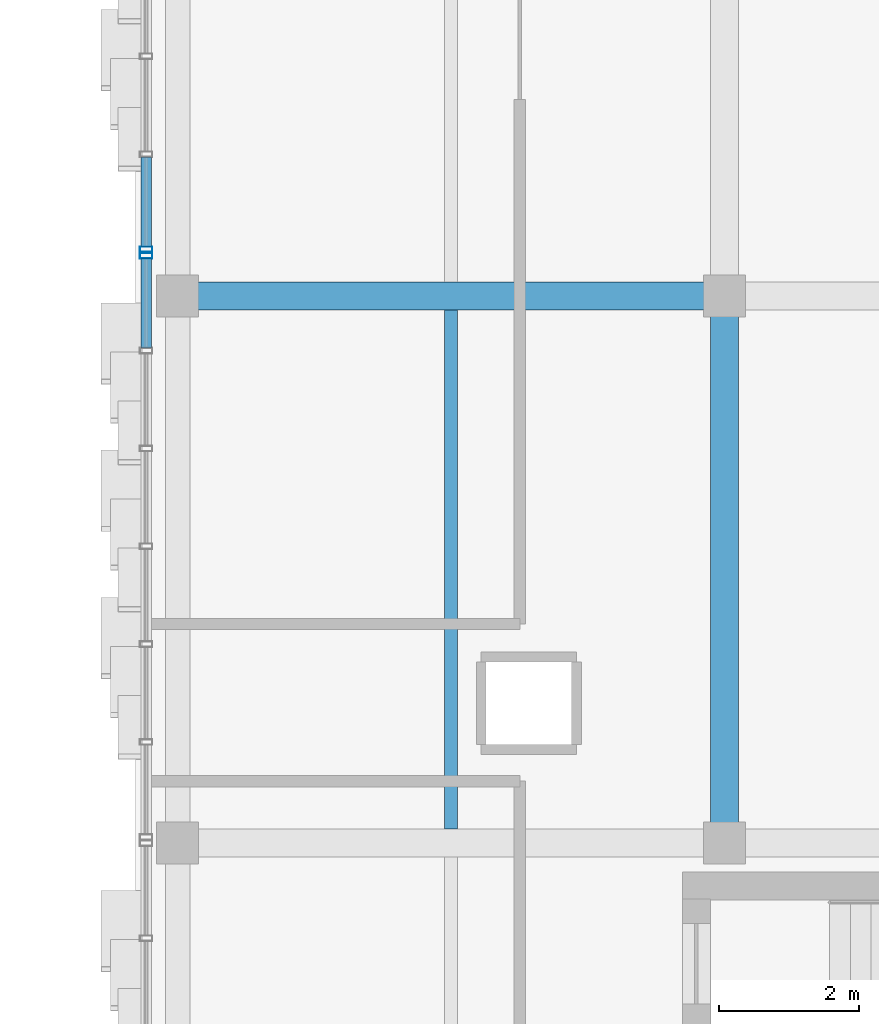
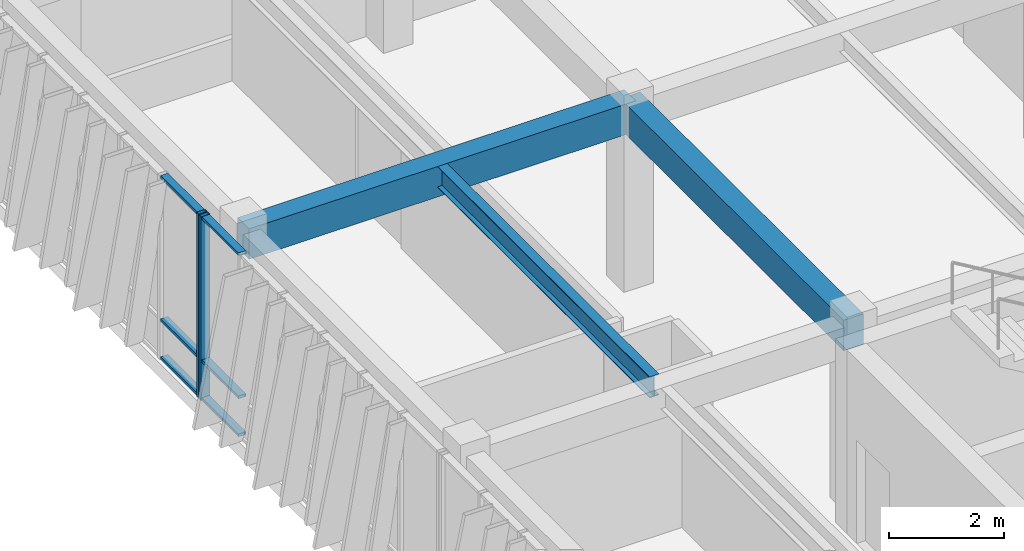
# One storey, part 66 of 127: 8 members, 3 beams, 2 elements without a shape of their own.
"""IFC4 building model written with IfcOpenShell, lengths in metres."""

from ifc_helpers import new_model, si_unit, direction, frame, origin, origin_2d, place, context, subcontext, project, spatial, rectangle, hollow_rectangle, i_section, extrude, material, layer, layer_set, material_profile, profile_set, type_object, element, aggregate, save


model = new_model("IFC4")

# Units and contexts
model_context = context("Model", 3, precision=1e-05, world=origin(), true_north=direction((0.0, 1.0)))
body_context = subcontext(model_context, "Body", "Model", "MODEL_VIEW")
ifc_project = project(units=[si_unit("LENGTHUNIT", "METRE"), si_unit("AREAUNIT", "SQUARE_METRE"), si_unit("VOLUMEUNIT", "CUBIC_METRE"), si_unit("PLANEANGLEUNIT", "RADIAN"), si_unit("MASSUNIT", "GRAM", prefix="KILO")], contexts=[model_context])

# Site, building, storey
site_placement = place(None, origin())
site = spatial("IfcSite", under=ifc_project, at=site_placement, CompositionType="ELEMENT")
building_placement = place(site_placement, origin())
building = spatial("IfcBuilding", under=site, at=building_placement, Name="Zayran Congress Hotel", CompositionType="ELEMENT")
storey_placement = place(building_placement, frame((0.0, 0.0, 10.800048828125)))
storey = spatial("IfcBuildingStorey", under=building, at=storey_placement, Name="L02", CompositionType="ELEMENT", Elevation=10.800048828125)

# Beams
ifc_material_1 = material(Name="Concrete C40/50", Category="concrete")
ifc_material_profile_1 = material_profile(ifc_material_1, rectangle(XDim=0.39990234375, YDim=0.64990234375, at=origin_2d()), Name="RC 400x650")
ifc_profile_set_1 = profile_set([ifc_material_profile_1], Name="Concrete C40/50")
beam_type_1 = type_object("IfcBeamType", Name="TP-BM-03", PredefinedType="BEAM", material=ifc_profile_set_1)
for number, where, z_axis, x_axis, name in (
    (1, (109.800048828125, 100.60009765625, 3.594970703125), (1.0, 0.0, 0.0), (0.0, 1.0, 0.0), "BM-V4-L02-1433"),
    (2, (117.60009765625, 92.800048828125, 3.594970703125), (0.0, 1.0, 0.0), (-1.0, 0.0, 0.0), "BM-V4-L02-1451"),
):
    element("IfcBeam", number, at=place(storey_placement, frame(where, z_axis=z_axis, x_axis=x_axis)), inside=storey, type_object=beam_type_1, Name=name, PredefinedType="BEAM", context=body_context, shape_type="SweptSolid", body=[
        extrude(rectangle(XDim=0.39990234375, YDim=0.64990234375, at=origin_2d()), origin(), (0.0, 0.0, 1.0), 7.800048828125),
    ])
ifc_material_2 = material(Name="Steel S355", Category="steel")
ifc_material_profile_2 = material_profile(ifc_material_2, i_section(OverallWidth=0.18994140625, OverallDepth=0.449951171875, WebThickness=0.009521484375, FlangeThickness=0.0146484375, at=origin_2d()), Name="IPE 450")
ifc_profile_set_2 = profile_set([ifc_material_profile_2], Name="Steel S355")
beam_type_2 = type_object("IfcBeamType", Name="TP-JS-02", PredefinedType="JOIST", material=ifc_profile_set_2)
beam_placement = place(storey_placement, frame((113.699951171875, 93.0, 3.695068359375), z_axis=(0.0, 1.0, 0.0), x_axis=(-1.0, 0.0, 0.0)))
element("IfcBeam", 3, at=beam_placement, inside=storey, type_object=beam_type_2, Name="JST-V4-L02-1475", PredefinedType="JOIST", context=body_context, shape_type="SweptSolid", body=[
    extrude(i_section(OverallWidth=0.18994140625, OverallDepth=0.449951171875, WebThickness=0.009521484375, FlangeThickness=0.0146484375, at=origin_2d()), origin(), (0.0, 0.0, 1.0), 7.39990234375),
])

# Curtain wall, member
ifc_material_3 = material(Name="Anodised aluminium and low-E insulated glass", Category="aluminium")
ifc_layer_1 = layer(ifc_material_3, 0.179931640625)
ifc_layer_set_1 = layer_set([ifc_layer_1], Name="Anodised aluminium and low-E insulated glass")
curtain_wall_type_1 = type_object("IfcCurtainWallType", Name="CW-V4W-L02-CW-51-8372-3920", PredefinedType="USERDEFINED", material=ifc_layer_set_1)
curtain_wall_1_placement = place(storey_placement, origin())
curtain_wall_1 = element("IfcCurtainWall", 4, at=curtain_wall_1_placement, inside=storey, type_object=curtain_wall_type_1, Name="CW-V4W-L02-6", ObjectType="CURTAIN WALL", PredefinedType="USERDEFINED")
ifc_material_4 = material(Name="Anodised aluminium framing", Category="aluminium")
ifc_material_profile_3 = material_profile(ifc_material_4, hollow_rectangle(XDim=0.080078125, YDim=0.179931640625, WallThickness=0.0048828125, at=origin_2d()), Name="RHS 180x80x5")
ifc_profile_set_3 = profile_set([ifc_material_profile_3], Name="Anodised aluminium framing")
member_type_1 = type_object("IfcMemberType", Name="TP-CWM-01", PredefinedType="MULLION", material=ifc_profile_set_3)
member_1_placement = place(storey_placement, frame((109.35009765625, 101.174072265625, 0.0), z_axis=(0.0, 0.0, 1.0), x_axis=(0.0, 1.0, 0.0)))
member_1 = element("IfcMember", 5, at=member_1_placement, type_object=member_type_1, Name="CW-V4W-L02-6-M00", PredefinedType="MULLION", context=body_context, shape_type="SweptSolid", body=[
    extrude(hollow_rectangle(XDim=0.080078125, YDim=0.179931640625, WallThickness=0.0048828125, at=origin_2d()), origin(), (0.0, 0.0, 1.0), 3.919921875),
])

ifc_layer_2 = layer(ifc_material_3, 0.179931640625)
ifc_layer_set_2 = layer_set([ifc_layer_2], Name="Anodised aluminium and low-E insulated glass")
curtain_wall_type_2 = type_object("IfcCurtainWallType", Name="CW-V4W-L02-CW-52-8376-3920", PredefinedType="USERDEFINED", material=ifc_layer_set_2)
curtain_wall_2_placement = place(storey_placement, origin())
curtain_wall_2 = element("IfcCurtainWall", 6, at=curtain_wall_2_placement, inside=storey, type_object=curtain_wall_type_2, Name="CW-V4W-L02-7", ObjectType="CURTAIN WALL", PredefinedType="USERDEFINED")
member_2_placement = place(storey_placement, frame((109.35009765625, 101.263916015625, 0.0), z_axis=(0.0, 0.0, 1.0), x_axis=(0.0, 1.0, 0.0)))
member_2 = element("IfcMember", 7, at=member_2_placement, type_object=member_type_1, Name="CW-V4W-L02-7-M06", PredefinedType="MULLION", context=body_context, shape_type="SweptSolid", body=[
    extrude(hollow_rectangle(XDim=0.080078125, YDim=0.179931640625, WallThickness=0.0048828125, at=origin_2d()), origin(), (0.0, 0.0, 1.0), 3.919921875),
])

# Member
ifc_material_profile_4 = material_profile(ifc_material_4, hollow_rectangle(XDim=0.06005859375, YDim=0.14990234375, WallThickness=0.00390625, at=origin_2d()), Name="RHS 150x60x4")
ifc_profile_set_4 = profile_set([ifc_material_profile_4], Name="Anodised aluminium framing")
member_type_2 = type_object("IfcMemberType", Name="TP-CWT-01", PredefinedType="USERDEFINED", material=ifc_profile_set_4)
member_3_placement = place(storey_placement, frame((109.35009765625, 101.134033203125, 0.030029296875), z_axis=(0.0, -1.0, 0.0), x_axis=(0.0, 0.0, 1.0)))
member_3 = element("IfcMember", 8, at=member_3_placement, type_object=member_type_2, Name="CW-V4W-L02-6-T00-0", ObjectType="TRANSOM", PredefinedType="USERDEFINED", context=body_context, shape_type="SweptSolid", body=[
    extrude(hollow_rectangle(XDim=0.06005859375, YDim=0.14990234375, WallThickness=0.00390625, at=origin_2d()), origin(), (0.0, 0.0, 1.0), 1.275390625),
])

member_4_placement = place(storey_placement, frame((109.35009765625, 101.134033203125, 0.83984375), z_axis=(0.0, -1.0, 0.0), x_axis=(0.0, 0.0, 1.0)))
member_4 = element("IfcMember", 9, at=member_4_placement, type_object=member_type_2, Name="CW-V4W-L02-6-T00-1", ObjectType="TRANSOM", PredefinedType="USERDEFINED", context=body_context, shape_type="SweptSolid", body=[
    extrude(hollow_rectangle(XDim=0.06005859375, YDim=0.14990234375, WallThickness=0.00390625, at=origin_2d()), origin(), (0.0, 0.0, 1.0), 1.275390625),
])

member_5_placement = place(storey_placement, frame((109.35009765625, 101.134033203125, 3.889892578125), z_axis=(0.0, -1.0, 0.0), x_axis=(0.0, 0.0, 1.0)))
member_5 = element("IfcMember", 10, at=member_5_placement, type_object=member_type_2, Name="CW-V4W-L02-6-T00-2", ObjectType="TRANSOM", PredefinedType="USERDEFINED", context=body_context, shape_type="SweptSolid", body=[
    extrude(hollow_rectangle(XDim=0.06005859375, YDim=0.14990234375, WallThickness=0.00390625, at=origin_2d()), origin(), (0.0, 0.0, 1.0), 1.275390625),
])

aggregate(curtain_wall_1, [member_1, member_3, member_4, member_5])

member_6_placement = place(storey_placement, frame((109.35009765625, 102.580078125, 0.030029296875), z_axis=(0.0, -1.0, 0.0), x_axis=(0.0, 0.0, 1.0)))
member_6 = element("IfcMember", 11, at=member_6_placement, type_object=member_type_2, Name="CW-V4W-L02-7-T05-0", ObjectType="TRANSOM", PredefinedType="USERDEFINED", context=body_context, shape_type="SweptSolid", body=[
    extrude(hollow_rectangle(XDim=0.06005859375, YDim=0.14990234375, WallThickness=0.00390625, at=origin_2d()), origin(), (0.0, 0.0, 1.0), 1.276123046875),
])

member_7_placement = place(storey_placement, frame((109.35009765625, 102.580078125, 0.83984375), z_axis=(0.0, -1.0, 0.0), x_axis=(0.0, 0.0, 1.0)))
member_7 = element("IfcMember", 12, at=member_7_placement, type_object=member_type_2, Name="CW-V4W-L02-7-T05-1", ObjectType="TRANSOM", PredefinedType="USERDEFINED", context=body_context, shape_type="SweptSolid", body=[
    extrude(hollow_rectangle(XDim=0.06005859375, YDim=0.14990234375, WallThickness=0.00390625, at=origin_2d()), origin(), (0.0, 0.0, 1.0), 1.276123046875),
])

member_8_placement = place(storey_placement, frame((109.35009765625, 102.580078125, 3.889892578125), z_axis=(0.0, -1.0, 0.0), x_axis=(0.0, 0.0, 1.0)))
member_8 = element("IfcMember", 13, at=member_8_placement, type_object=member_type_2, Name="CW-V4W-L02-7-T05-2", ObjectType="TRANSOM", PredefinedType="USERDEFINED", context=body_context, shape_type="SweptSolid", body=[
    extrude(hollow_rectangle(XDim=0.06005859375, YDim=0.14990234375, WallThickness=0.00390625, at=origin_2d()), origin(), (0.0, 0.0, 1.0), 1.276123046875),
])

aggregate(curtain_wall_2, [member_2, member_6, member_7, member_8])

save(model, "model.ifc")
